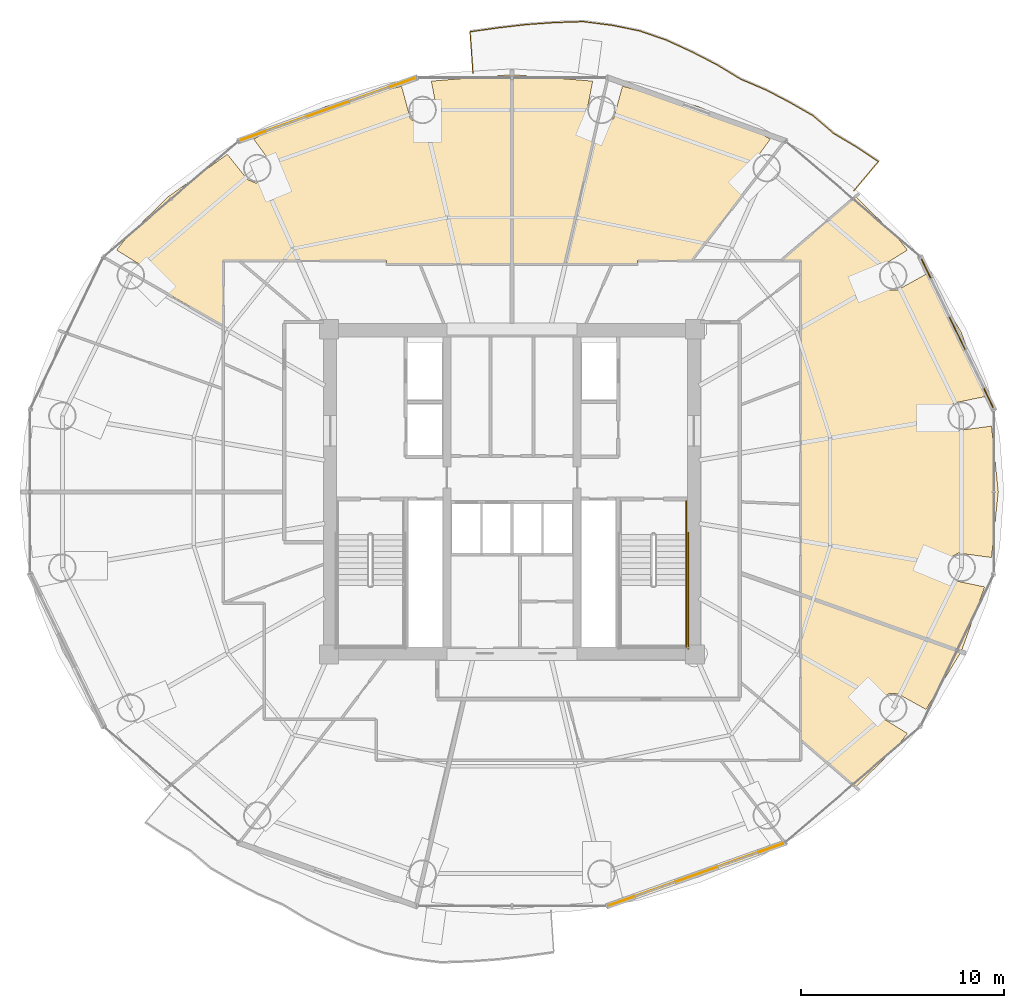
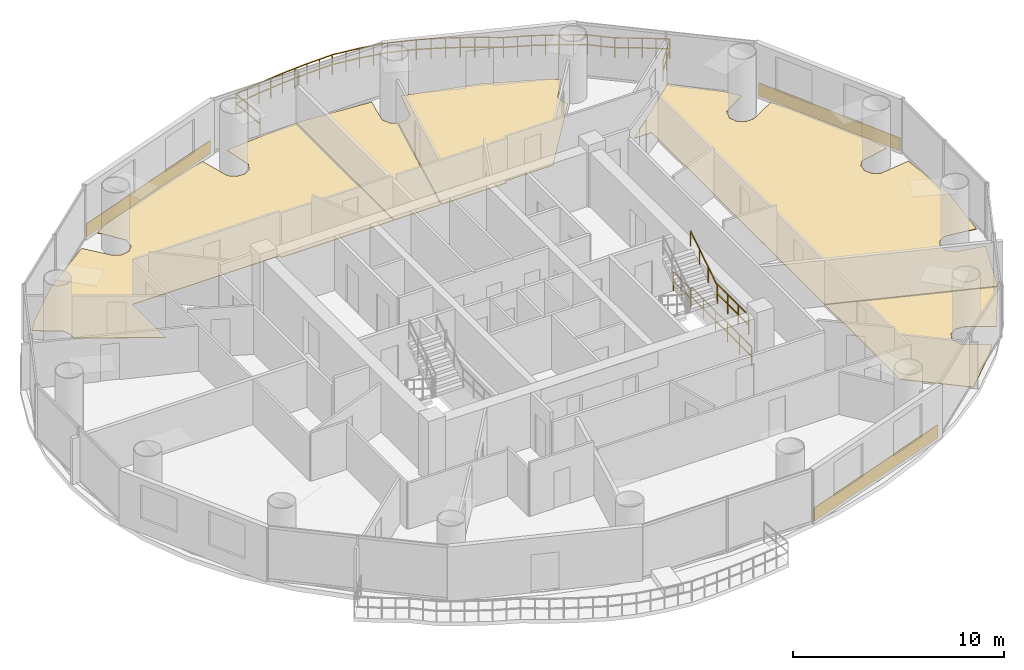
# One storey, part 26 of 26: 8 coverings, 5 railings.
"""IFC4 building model written with IfcOpenShell, lengths in metres."""

from ifc_helpers import new_model, si_unit, direction, frame, origin, origin_2d, place, context, subcontext, project, spatial, polyline, rectangle, outline, extrude, source, transform, mapped, material, layer, layer_set, type_object, element, save


model = new_model("IFC4")

# Units and contexts
model_context = context("Model", 3, precision=1e-05, world=origin(), true_north=direction((-0.2419218956, 0.970295726276)))
body_context = subcontext(model_context, "Body", "Model", "MODEL_VIEW")
ifc_project = project(units=[si_unit("LENGTHUNIT", "METRE"), si_unit("AREAUNIT", "SQUARE_METRE"), si_unit("VOLUMEUNIT", "CUBIC_METRE"), si_unit("PLANEANGLEUNIT", "RADIAN"), si_unit("MASSUNIT", "GRAM", prefix="KILO")], contexts=[model_context])

# Site, building, storey
site_placement = place(None, origin())
site = spatial("IfcSite", under=ifc_project, at=site_placement, CompositionType="ELEMENT")
building_placement = place(site_placement, origin())
building = spatial("IfcBuilding", under=site, at=building_placement, Name="Cobrevalo Terracotta Tower", CompositionType="ELEMENT")
storey_placement = place(building_placement, frame((0.0, 0.0, 182.199951171875)))
storey = spatial("IfcBuildingStorey", under=building, at=storey_placement, Name="L48", CompositionType="ELEMENT", Elevation=182.199951171875)

# Railing
ifc_material_1 = material(Name="Laminated structural glass and stainless steel", Category="steel")
railing_type_1 = type_object("IfcRailingType", Name="Balcony lobe structural glass & terracotta-cap balustrade 1180 mm", PredefinedType="BALUSTRADE", material=ifc_material_1)
railing_1_placement = place(storey_placement, frame((54.825439453125, 41.61328125, 0.0)))
element("IfcRailing", 1, at=railing_1_placement, inside=storey, type_object=railing_type_1, Name="L48 spiralling balcony lobe balustrade 1", PredefinedType="BALUSTRADE", context=body_context, shape_type="SweptSolid", body=[
    extrude(rectangle(XDim=0.048095703125, YDim=0.048095703125, at=origin_2d()), frame((0.0, 0.0, 1.15576171875), z_axis=(0.643035654608, 0.765836240265, 0.0), x_axis=(-0.765836240265, 0.643035654608, 0.0)), (0.0, 0.0, 1.0), 1.866943359375),
    extrude(rectangle(XDim=0.048095703125, YDim=0.048095703125, at=origin_2d()), frame((0.0, 0.0, 0.58984375), z_axis=(0.643035654608, 0.765836240265, 0.0), x_axis=(-0.765836240265, 0.643035654608, 0.0)), (0.0, 0.0, 1.0), 1.866943359375),
    extrude(rectangle(XDim=0.048095703125, YDim=0.048095703125, at=origin_2d()), frame((1.200439453125, 1.4296875, 1.15576171875), z_axis=(-0.833510454138, 0.552503685819, 0.0), x_axis=(-0.552503685819, -0.833510454138, 0.0)), (0.0, 0.0, 1.0), 1.309326171875),
    extrude(rectangle(XDim=0.048095703125, YDim=0.048095703125, at=origin_2d()), frame((1.200439453125, 1.4296875, 0.58984375), z_axis=(-0.833510454138, 0.552503685819, 0.0), x_axis=(-0.552503685819, -0.833510454138, 0.0)), (0.0, 0.0, 1.0), 1.309326171875),
    extrude(rectangle(XDim=0.048095703125, YDim=0.048095703125, at=origin_2d()), frame((0.109130859375, 2.153076171875, 1.15576171875), z_axis=(-0.859143658527, 0.511734476083, 0.0), x_axis=(-0.511734476083, -0.859143658527, 0.0)), (0.0, 0.0, 1.0), 1.301513671875),
    extrude(rectangle(XDim=0.048095703125, YDim=0.048095703125, at=origin_2d()), frame((0.109130859375, 2.153076171875, 0.58984375), z_axis=(-0.859143658527, 0.511734476083, 0.0), x_axis=(-0.511734476083, -0.859143658527, 0.0)), (0.0, 0.0, 1.0), 1.301513671875),
    extrude(rectangle(XDim=0.048095703125, YDim=0.048095703125, at=origin_2d()), frame((-1.009033203125, 2.819091796875, 1.15576171875), z_axis=(-0.75777385724, 0.652517265123, 0.0), x_axis=(-0.652517265123, -0.75777385724, 0.0)), (0.0, 0.0, 1.0), 1.32666015625),
    extrude(rectangle(XDim=0.048095703125, YDim=0.048095703125, at=origin_2d()), frame((-1.009033203125, 2.819091796875, 0.58984375), z_axis=(-0.75777385724, 0.652517265123, 0.0), x_axis=(-0.652517265123, -0.75777385724, 0.0)), (0.0, 0.0, 1.0), 1.32666015625),
    extrude(rectangle(XDim=0.048095703125, YDim=0.048095703125, at=origin_2d()), frame((-2.014404296875, 3.684814453125, 1.15576171875), z_axis=(-0.867459366017, 0.497508038436, 0.0), x_axis=(-0.497508038436, -0.867459366017, 0.0)), (0.0, 0.0, 1.0), 1.324462890625),
    extrude(rectangle(XDim=0.048095703125, YDim=0.048095703125, at=origin_2d()), frame((-2.014404296875, 3.684814453125, 0.58984375), z_axis=(-0.867459366017, 0.497508038436, 0.0), x_axis=(-0.497508038436, -0.867459366017, 0.0)), (0.0, 0.0, 1.0), 1.324462890625),
    extrude(rectangle(XDim=0.048095703125, YDim=0.048095703125, at=origin_2d()), frame((-3.163330078125, 4.34375, 1.15576171875), z_axis=(-0.886378139392, 0.46296197901, 0.0), x_axis=(-0.46296197901, -0.886378139392, 0.0)), (0.0, 0.0, 1.0), 1.327392578125),
    extrude(rectangle(XDim=0.048095703125, YDim=0.048095703125, at=origin_2d()), frame((-3.163330078125, 4.34375, 0.58984375), z_axis=(-0.886378139392, 0.46296197901, 0.0), x_axis=(-0.46296197901, -0.886378139392, 0.0)), (0.0, 0.0, 1.0), 1.327392578125),
    extrude(rectangle(XDim=0.048095703125, YDim=0.048095703125, at=origin_2d()), frame((-4.33984375, 4.958251953125, 1.15576171875), z_axis=(-0.920373490058, 0.391040456729, 0.0), x_axis=(-0.391040456729, -0.920373490058, 0.0)), (0.0, 0.0, 1.0), 1.341796875),
    extrude(rectangle(XDim=0.048095703125, YDim=0.048095703125, at=origin_2d()), frame((-4.33984375, 4.958251953125, 0.58984375), z_axis=(-0.920373490058, 0.391040456729, 0.0), x_axis=(-0.391040456729, -0.920373490058, 0.0)), (0.0, 0.0, 1.0), 1.341796875),
    extrude(rectangle(XDim=0.048095703125, YDim=0.048095703125, at=origin_2d()), frame((-5.57470703125, 5.48291015625, 1.15576171875), z_axis=(-0.854798848027, 0.518959467986, 0.0), x_axis=(-0.518959467986, -0.854798848027, 0.0)), (0.0, 0.0, 1.0), 1.365234375),
    extrude(rectangle(XDim=0.048095703125, YDim=0.048095703125, at=origin_2d()), frame((-5.57470703125, 5.48291015625, 0.58984375), z_axis=(-0.854798848027, 0.518959467986, 0.0), x_axis=(-0.518959467986, -0.854798848027, 0.0)), (0.0, 0.0, 1.0), 1.365234375),
    extrude(rectangle(XDim=0.048095703125, YDim=0.048095703125, at=origin_2d()), frame((-6.74169921875, 6.19140625, 1.15576171875), z_axis=(-0.889031185368, 0.457846646208, 0.0), x_axis=(-0.457846646208, -0.889031185368, 0.0)), (0.0, 0.0, 1.0), 1.382568359375),
    extrude(rectangle(XDim=0.048095703125, YDim=0.048095703125, at=origin_2d()), frame((-6.74169921875, 6.19140625, 0.58984375), z_axis=(-0.889031185368, 0.457846646208, 0.0), x_axis=(-0.457846646208, -0.889031185368, 0.0)), (0.0, 0.0, 1.0), 1.382568359375),
    extrude(rectangle(XDim=0.048095703125, YDim=0.048095703125, at=origin_2d()), frame((-7.970947265625, 6.824462890625, 1.15576171875), z_axis=(-0.908664294435, 0.417527484147, 0.0), x_axis=(-0.417527484147, -0.908664294435, 0.0)), (0.0, 0.0, 1.0), 1.396240234375),
    extrude(rectangle(XDim=0.048095703125, YDim=0.048095703125, at=origin_2d()), frame((-7.970947265625, 6.824462890625, 0.58984375), z_axis=(-0.908664294435, 0.417527484147, 0.0), x_axis=(-0.417527484147, -0.908664294435, 0.0)), (0.0, 0.0, 1.0), 1.396240234375),
    extrude(rectangle(XDim=0.048095703125, YDim=0.048095703125, at=origin_2d()), frame((-9.23974609375, 7.407470703125, 1.15576171875), z_axis=(-0.945543759885, 0.325495004789, 0.0), x_axis=(-0.325495004789, -0.945543759885, 0.0)), (0.0, 0.0, 1.0), 1.396728515625),
    extrude(rectangle(XDim=0.048095703125, YDim=0.048095703125, at=origin_2d()), frame((-9.23974609375, 7.407470703125, 0.58984375), z_axis=(-0.945543759885, 0.325495004789, 0.0), x_axis=(-0.325495004789, -0.945543759885, 0.0)), (0.0, 0.0, 1.0), 1.396728515625),
    extrude(rectangle(XDim=0.048095703125, YDim=0.048095703125, at=origin_2d()), frame((-10.560302734375, 7.862060546875, 1.15576171875), z_axis=(-0.980399358204, 0.197020553328, 0.0), x_axis=(-0.197020553328, -0.980399358204, 0.0)), (0.0, 0.0, 1.0), 1.401611328125),
    extrude(rectangle(XDim=0.048095703125, YDim=0.048095703125, at=origin_2d()), frame((-10.560302734375, 7.862060546875, 0.58984375), z_axis=(-0.980399358204, 0.197020553328, 0.0), x_axis=(-0.197020553328, -0.980399358204, 0.0)), (0.0, 0.0, 1.0), 1.401611328125),
    extrude(rectangle(XDim=0.048095703125, YDim=0.048095703125, at=origin_2d()), frame((-11.934326171875, 8.13818359375, 1.15576171875), z_axis=(-0.992126874998, 0.125236831267, 0.0), x_axis=(-0.125236831267, -0.992126874998, 0.0)), (0.0, 0.0, 1.0), 1.399658203125),
    extrude(rectangle(XDim=0.048095703125, YDim=0.048095703125, at=origin_2d()), frame((-11.934326171875, 8.13818359375, 0.58984375), z_axis=(-0.992126874998, 0.125236831267, 0.0), x_axis=(-0.125236831267, -0.992126874998, 0.0)), (0.0, 0.0, 1.0), 1.399658203125),
    extrude(rectangle(XDim=0.048095703125, YDim=0.048095703125, at=origin_2d()), frame((-13.322998046875, 8.3134765625, 1.15576171875), z_axis=(-0.999481911542, -0.03218553247, 0.0), x_axis=(0.03218553247, -0.999481911542, 0.0)), (0.0, 0.0, 1.0), 1.410888671875),
    extrude(rectangle(XDim=0.048095703125, YDim=0.048095703125, at=origin_2d()), frame((-13.322998046875, 8.3134765625, 0.58984375), z_axis=(-0.999481911542, -0.03218553247, 0.0), x_axis=(0.03218553247, -0.999481911542, 0.0)), (0.0, 0.0, 1.0), 1.410888671875),
    extrude(rectangle(XDim=0.048095703125, YDim=0.048095703125, at=origin_2d()), frame((-14.733154296875, 8.26806640625, 1.15576171875), z_axis=(-0.997489518027, -0.070814274174, 0.0), x_axis=(0.070814274174, -0.997489518027, 0.0)), (0.0, 0.0, 1.0), 1.403076171875),
    extrude(rectangle(XDim=0.048095703125, YDim=0.048095703125, at=origin_2d()), frame((-14.733154296875, 8.26806640625, 0.58984375), z_axis=(-0.997489518027, -0.070814274174, 0.0), x_axis=(0.070814274174, -0.997489518027, 0.0)), (0.0, 0.0, 1.0), 1.403076171875),
    extrude(rectangle(XDim=0.048095703125, YDim=0.048095703125, at=origin_2d()), frame((-16.1328125, 8.168701171875, 1.15576171875), z_axis=(-0.993268516763, -0.115834595903, 0.0), x_axis=(0.115834595903, -0.993268516763, 0.0)), (0.0, 0.0, 1.0), 1.39306640625),
    extrude(rectangle(XDim=0.048095703125, YDim=0.048095703125, at=origin_2d()), frame((-16.1328125, 8.168701171875, 0.58984375), z_axis=(-0.993268516763, -0.115834595903, 0.0), x_axis=(0.115834595903, -0.993268516763, 0.0)), (0.0, 0.0, 1.0), 1.39306640625),
    extrude(rectangle(XDim=0.048095703125, YDim=0.048095703125, at=origin_2d()), frame((-17.5166015625, 8.00732421875, 1.15576171875), z_axis=(-0.990215534843, -0.13954638854, 0.0), x_axis=(0.13954638854, -0.990215534843, 0.0)), (0.0, 0.0, 1.0), 1.3857421875),
    extrude(rectangle(XDim=0.048095703125, YDim=0.048095703125, at=origin_2d()), frame((-17.5166015625, 8.00732421875, 0.58984375), z_axis=(-0.990215534843, -0.13954638854, 0.0), x_axis=(0.13954638854, -0.990215534843, 0.0)), (0.0, 0.0, 1.0), 1.3857421875),
    extrude(rectangle(XDim=0.048095703125, YDim=0.048095703125, at=origin_2d()), frame((-18.888671875, 7.81396484375, 1.15576171875), z_axis=(0.068897001928, -0.997623778348, 0.0), x_axis=(0.997623778348, 0.068897001928, 0.0)), (0.0, 0.0, 1.0), 2.030517578125),
    extrude(rectangle(XDim=0.048095703125, YDim=0.048095703125, at=origin_2d()), frame((-18.888671875, 7.81396484375, 0.58984375), z_axis=(0.068897001928, -0.997623778348, 0.0), x_axis=(0.997623778348, 0.068897001928, 0.0)), (0.0, 0.0, 1.0), 2.030517578125),
    extrude(rectangle(XDim=0.0419921875, YDim=0.0419921875, at=origin_2d()), origin(), (0.0, 0.0, 1.0), 1.1318359375),
    extrude(rectangle(XDim=0.0419921875, YDim=0.0419921875, at=origin_2d()), frame((0.60009765625, 0.71484375, 0.0)), (0.0, 0.0, 1.0), 1.1318359375),
    extrude(rectangle(XDim=0.0419921875, YDim=0.0419921875, at=origin_2d()), frame((1.200439453125, 1.4296875, 0.0)), (0.0, 0.0, 1.0), 1.1318359375),
    extrude(rectangle(XDim=0.0419921875, YDim=0.0419921875, at=origin_2d()), frame((0.65478515625, 1.79150390625, 0.0)), (0.0, 0.0, 1.0), 1.1318359375),
    extrude(rectangle(XDim=0.0419921875, YDim=0.0419921875, at=origin_2d()), frame((0.109130859375, 2.153076171875, 0.0)), (0.0, 0.0, 1.0), 1.1318359375),
    extrude(rectangle(XDim=0.0419921875, YDim=0.0419921875, at=origin_2d()), frame((-0.449951171875, 2.486083984375, 0.0)), (0.0, 0.0, 1.0), 1.1318359375),
    extrude(rectangle(XDim=0.0419921875, YDim=0.0419921875, at=origin_2d()), frame((-1.009033203125, 2.819091796875, 0.0)), (0.0, 0.0, 1.0), 1.1318359375),
    extrude(rectangle(XDim=0.0419921875, YDim=0.0419921875, at=origin_2d()), frame((-1.51171875, 3.251953125, 0.0)), (0.0, 0.0, 1.0), 1.1318359375),
    extrude(rectangle(XDim=0.0419921875, YDim=0.0419921875, at=origin_2d()), frame((-2.014404296875, 3.684814453125, 0.0)), (0.0, 0.0, 1.0), 1.1318359375),
    extrude(rectangle(XDim=0.0419921875, YDim=0.0419921875, at=origin_2d()), frame((-2.5888671875, 4.01416015625, 0.0)), (0.0, 0.0, 1.0), 1.1318359375),
    extrude(rectangle(XDim=0.0419921875, YDim=0.0419921875, at=origin_2d()), frame((-3.163330078125, 4.34375, 0.0)), (0.0, 0.0, 1.0), 1.1318359375),
    extrude(rectangle(XDim=0.0419921875, YDim=0.0419921875, at=origin_2d()), frame((-3.75146484375, 4.65087890625, 0.0)), (0.0, 0.0, 1.0), 1.1318359375),
    extrude(rectangle(XDim=0.0419921875, YDim=0.0419921875, at=origin_2d()), frame((-4.33984375, 4.958251953125, 0.0)), (0.0, 0.0, 1.0), 1.1318359375),
    extrude(rectangle(XDim=0.0419921875, YDim=0.0419921875, at=origin_2d()), frame((-4.957275390625, 5.220703125, 0.0)), (0.0, 0.0, 1.0), 1.1318359375),
    extrude(rectangle(XDim=0.0419921875, YDim=0.0419921875, at=origin_2d()), frame((-5.57470703125, 5.48291015625, 0.0)), (0.0, 0.0, 1.0), 1.1318359375),
    extrude(rectangle(XDim=0.0419921875, YDim=0.0419921875, at=origin_2d()), frame((-6.158203125, 5.837158203125, 0.0)), (0.0, 0.0, 1.0), 1.1318359375),
    extrude(rectangle(XDim=0.0419921875, YDim=0.0419921875, at=origin_2d()), frame((-6.74169921875, 6.19140625, 0.0)), (0.0, 0.0, 1.0), 1.1318359375),
    extrude(rectangle(XDim=0.0419921875, YDim=0.0419921875, at=origin_2d()), frame((-7.3564453125, 6.5078125, 0.0)), (0.0, 0.0, 1.0), 1.1318359375),
    extrude(rectangle(XDim=0.0419921875, YDim=0.0419921875, at=origin_2d()), frame((-7.970947265625, 6.824462890625, 0.0)), (0.0, 0.0, 1.0), 1.1318359375),
    extrude(rectangle(XDim=0.0419921875, YDim=0.0419921875, at=origin_2d()), frame((-8.60546875, 7.115966796875, 0.0)), (0.0, 0.0, 1.0), 1.1318359375),
    extrude(rectangle(XDim=0.0419921875, YDim=0.0419921875, at=origin_2d()), frame((-9.23974609375, 7.407470703125, 0.0)), (0.0, 0.0, 1.0), 1.1318359375),
    extrude(rectangle(XDim=0.0419921875, YDim=0.0419921875, at=origin_2d()), frame((-9.89990234375, 7.634765625, 0.0)), (0.0, 0.0, 1.0), 1.1318359375),
    extrude(rectangle(XDim=0.0419921875, YDim=0.0419921875, at=origin_2d()), frame((-10.560302734375, 7.862060546875, 0.0)), (0.0, 0.0, 1.0), 1.1318359375),
    extrude(rectangle(XDim=0.0419921875, YDim=0.0419921875, at=origin_2d()), frame((-11.247314453125, 8.0, 0.0)), (0.0, 0.0, 1.0), 1.1318359375),
    extrude(rectangle(XDim=0.0419921875, YDim=0.0419921875, at=origin_2d()), frame((-11.934326171875, 8.13818359375, 0.0)), (0.0, 0.0, 1.0), 1.1318359375),
    extrude(rectangle(XDim=0.0419921875, YDim=0.0419921875, at=origin_2d()), frame((-12.628662109375, 8.225830078125, 0.0)), (0.0, 0.0, 1.0), 1.1318359375),
    extrude(rectangle(XDim=0.0419921875, YDim=0.0419921875, at=origin_2d()), frame((-13.322998046875, 8.3134765625, 0.0)), (0.0, 0.0, 1.0), 1.1318359375),
    extrude(rectangle(XDim=0.0419921875, YDim=0.0419921875, at=origin_2d()), frame((-14.028076171875, 8.290771484375, 0.0)), (0.0, 0.0, 1.0), 1.1318359375),
    extrude(rectangle(XDim=0.0419921875, YDim=0.0419921875, at=origin_2d()), frame((-14.733154296875, 8.26806640625, 0.0)), (0.0, 0.0, 1.0), 1.1318359375),
    extrude(rectangle(XDim=0.0419921875, YDim=0.0419921875, at=origin_2d()), frame((-15.43310546875, 8.21826171875, 0.0)), (0.0, 0.0, 1.0), 1.1318359375),
    extrude(rectangle(XDim=0.0419921875, YDim=0.0419921875, at=origin_2d()), frame((-16.1328125, 8.168701171875, 0.0)), (0.0, 0.0, 1.0), 1.1318359375),
    extrude(rectangle(XDim=0.0419921875, YDim=0.0419921875, at=origin_2d()), frame((-16.82470703125, 8.087890625, 0.0)), (0.0, 0.0, 1.0), 1.1318359375),
    extrude(rectangle(XDim=0.0419921875, YDim=0.0419921875, at=origin_2d()), frame((-17.5166015625, 8.00732421875, 0.0)), (0.0, 0.0, 1.0), 1.1318359375),
    extrude(rectangle(XDim=0.0419921875, YDim=0.0419921875, at=origin_2d()), frame((-18.20263671875, 7.91064453125, 0.0)), (0.0, 0.0, 1.0), 1.1318359375),
    extrude(rectangle(XDim=0.0419921875, YDim=0.0419921875, at=origin_2d()), frame((-18.888671875, 7.81396484375, 0.0)), (0.0, 0.0, 1.0), 1.1318359375),
    extrude(rectangle(XDim=0.0419921875, YDim=0.0419921875, at=origin_2d()), frame((-18.81884765625, 6.80126953125, 0.0)), (0.0, 0.0, 1.0), 1.1318359375),
    extrude(rectangle(XDim=0.0419921875, YDim=0.0419921875, at=origin_2d()), frame((-18.748779296875, 5.788330078125, 0.0)), (0.0, 0.0, 1.0), 1.1318359375),
])

# Coverings
ifc_material_2 = material(Name="Engineered Brazilian hardwood flooring", Category="wood")
ifc_layer_1 = layer(ifc_material_2, 0.028076171875)
ifc_layer_set_1 = layer_set([ifc_layer_1], Name="Engineered Brazilian hardwood flooring")
covering_type_1 = type_object("IfcCoveringType", Name="Engineered Hardwood Suite Flooring 28", PredefinedType="FLOORING", material=ifc_layer_set_1)
covering_1_placement = place(storey_placement, origin())
element("IfcCovering", 2, at=covering_1_placement, inside=storey, type_object=covering_type_1, Name="Flat L48A Penthouse Living and Dining Room floor finish", PredefinedType="FLOORING", context=body_context, shape_type="SweptSolid", body=[
    extrude(outline(polyline([(51.26513671875, 38.175048828125), (54.9111328125, 41.308837890625), (56.97802734375, 39.29052734375), (57.448486328125, 38.6865234375), (56.165771484375, 37.89404296875), (56.01513671875, 37.34814453125), (56.189697265625, 36.955322265625), (56.552734375, 36.725830078125), (56.982177734375, 36.736572265625), (58.367431640625, 37.50634765625), (60.099609375, 34.651611328125), (61.251708984375, 31.478271484375), (59.7236328125, 31.1630859375), (59.44140625, 30.8388671875), (59.386962890625, 30.41259765625), (59.578369140625, 30.028076171875), (59.951416015625, 29.814697265625), (61.58642578125, 30.03369140625), (61.919921875, 26.800048828125), (61.58642578125, 23.566162109375), (59.951416015625, 23.785400390625), (59.578369140625, 23.572021484375), (59.386962890625, 23.187255859375), (59.44140625, 22.760986328125), (59.7236328125, 22.43701171875), (61.251708984375, 22.121826171875), (60.101318359375, 18.95263671875), (52.22509765625, 21.7568359375), (52.22509765625, 38.175048828125), (51.26513671875, 38.175048828125)])), origin(), (0.0, 0.0, 1.0), 0.030029296875),
])
covering_2_placement = place(storey_placement, origin())
element("IfcCovering", 3, at=covering_2_placement, inside=storey, type_object=covering_type_1, Name="Flat L48A Penthouse Family Lounge floor finish", PredefinedType="FLOORING", context=body_context, shape_type="SweptSolid", body=[
    extrude(outline(polyline([(44.175048828125, 38.014892578125), (40.615966796875, 38.014892578125), (42.203369140625, 44.873779296875), (42.6591796875, 44.88916015625), (43.00048828125, 45.150390625), (43.432861328125, 46.75), (47.15478515625, 45.757568359375), (49.961181640625, 44.5703125), (50.704833984375, 44.143798828125), (49.815673828125, 42.9228515625), (49.824462890625, 42.4931640625), (49.97509765625, 42.236572265625), (46.817626953125, 38.175048828125), (44.175048828125, 38.175048828125), (44.175048828125, 38.014892578125)])), origin(), (0.0, 0.0, 1.0), 0.030029296875),
])
covering_3_placement = place(storey_placement, origin())
element("IfcCovering", 4, at=covering_3_placement, inside=storey, type_object=covering_type_1, Name="Flat L48A Penthouse Family Lounge floor finish", PredefinedType="FLOORING", context=body_context, shape_type="SweptSolid", body=[
    extrude(outline(polyline([(38.02001953125, 47.31884765625), (41.97119140625, 46.99951171875), (41.6689453125, 45.462158203125), (41.858642578125, 45.07666015625), (42.16455078125, 44.8837890625), (40.574951171875, 38.014892578125), (38.02001953125, 38.014892578125), (38.02001953125, 47.31884765625)])), origin(), (0.0, 0.0, 1.0), 0.030029296875),
])
covering_4_placement = place(storey_placement, origin())
element("IfcCovering", 5, at=covering_4_placement, inside=storey, type_object=covering_type_1, Name="Flat L48B Penthouse Living and Dining Room floor finish", PredefinedType="FLOORING", context=body_context, shape_type="SweptSolid", body=[
    extrude(outline(polyline([(21.0849609375, 41.308837890625), (23.99755859375, 43.39990234375), (24.99072265625, 42.160400390625), (25.38427734375, 41.98779296875), (25.807373046875, 42.06298828125), (26.1171875, 42.3603515625), (26.184326171875, 42.9228515625), (25.295166015625, 44.143798828125), (26.038818359375, 44.5703125), (28.84521484375, 45.757568359375), (32.567138671875, 46.75), (32.99951171875, 45.150390625), (33.3408203125, 44.88916015625), (33.76953125, 44.861328125), (34.141357421875, 45.07666015625), (34.3310546875, 45.462158203125), (34.02880859375, 46.99951171875), (37.97998046875, 47.31884765625), (37.97998046875, 38.014892578125), (31.824951171875, 38.014892578125), (31.824951171875, 38.175048828125), (23.77490234375, 38.175048828125), (23.77490234375, 34.992431640625), (19.94384765625, 37.192626953125), (19.988525390625, 37.4931640625), (19.834228515625, 37.89404296875), (18.551513671875, 38.6865234375), (19.02197265625, 39.29052734375), (21.0849609375, 41.308837890625)])), origin(), (0.0, 0.0, 1.0), 0.030029296875),
])
covering_5_placement = place(storey_placement, origin())
element("IfcCovering", 6, at=covering_5_placement, inside=storey, type_object=covering_type_1, Name="Flat L48D Penthouse Family Lounge floor finish", PredefinedType="FLOORING", context=body_context, shape_type="SweptSolid", body=[
    extrude(outline(polyline([(54.9111328125, 12.291015625), (52.22509765625, 14.599853515625), (52.22509765625, 21.71435546875), (60.081787109375, 18.917236328125), (58.367431640625, 16.09375), (56.982177734375, 16.863525390625), (56.552734375, 16.874267578125), (56.189697265625, 16.64453125), (56.01513671875, 16.251953125), (56.165771484375, 15.705810546875), (57.448486328125, 14.91357421875), (56.97802734375, 14.309326171875), (54.9111328125, 12.291015625)])), origin(), (0.0, 0.0, 1.0), 0.030029296875),
])

# Railings
ifc_material_3 = material(Name="Brushed stainless steel", Category="steel")
railing_type_2 = type_object("IfcRailingType", Name="Stainless Steel Stair Handrail 900", PredefinedType="HANDRAIL", material=ifc_material_3)
railing_2_placement = place(storey_placement, frame((46.574951171875, 22.179931640625, 1.97998046875)))
element("IfcRailing", 7, at=railing_2_placement, inside=storey, type_object=railing_type_2, Name="L48 ST-2 stair handrail 2", PredefinedType="HANDRAIL", context=body_context, shape_type="SweptSolid", body=[
    extrude(rectangle(XDim=0.048095703125, YDim=0.048095703125, at=origin_2d()), frame((0.0, 0.0, 0.8759765625), z_axis=(0.0, 0.841162588446, 0.540782303519), x_axis=(-1.0, 0.0, 0.0)), (0.0, 0.0, 1.0), 2.995849609375),
    extrude(rectangle(XDim=0.0419921875, YDim=0.0419921875, at=origin_2d()), origin(), (0.0, 0.0, 1.0), 0.851806640625),
    extrude(rectangle(XDim=0.0419921875, YDim=0.0419921875, at=origin_2d()), frame((0.0, 0.840087890625, 0.5400390625)), (0.0, 0.0, 1.0), 0.851806640625),
    extrude(rectangle(XDim=0.0419921875, YDim=0.0419921875, at=origin_2d()), frame((0.0, 1.679931640625, 1.080078125)), (0.0, 0.0, 1.0), 0.851806640625),
    extrude(rectangle(XDim=0.0419921875, YDim=0.0419921875, at=origin_2d()), frame((0.0, 2.52001953125, 1.6201171875)), (0.0, 0.0, 1.0), 0.851806640625),
])
ifc_material_4 = material(Name="Painted galvanized steel", Category="steel")
railing_type_3 = type_object("IfcRailingType", Name="Stair Well Guard Balustrade 1150", PredefinedType="GUARDRAIL", material=ifc_material_4)
railing_3_placement = place(storey_placement, frame((46.574951171875, 22.179931640625, 1.800048828125)))
element("IfcRailing", 8, at=railing_3_placement, inside=storey, type_object=railing_type_3, Name="L48 ST-2 stair guard 4", PredefinedType="GUARDRAIL", context=body_context, shape_type="SweptSolid", body=[
    extrude(rectangle(XDim=0.048095703125, YDim=0.048095703125, at=origin_2d()), frame((0.0, 0.0, 1.1259765625), z_axis=(0.0, -1.0, 0.0), x_axis=(1.0, 0.0, 0.0)), (0.0, 0.0, 1.0), 3.0048828125),
    extrude(rectangle(XDim=0.048095703125, YDim=0.048095703125, at=origin_2d()), frame((0.0, 0.0, 0.574951171875), z_axis=(0.0, -1.0, 0.0), x_axis=(1.0, 0.0, 0.0)), (0.0, 0.0, 1.0), 3.0048828125),
    extrude(rectangle(XDim=0.0419921875, YDim=0.0419921875, at=origin_2d()), origin(), (0.0, 0.0, 1.0), 1.101806640625),
    extrude(rectangle(XDim=0.0419921875, YDim=0.0419921875, at=origin_2d()), frame((0.0, -1.001708984375, 0.0)), (0.0, 0.0, 1.0), 1.101806640625),
    extrude(rectangle(XDim=0.0419921875, YDim=0.0419921875, at=origin_2d()), frame((0.0, -2.003173828125, 0.0)), (0.0, 0.0, 1.0), 1.101806640625),
    extrude(rectangle(XDim=0.0419921875, YDim=0.0419921875, at=origin_2d()), frame((0.0, -3.0048828125, 0.0)), (0.0, 0.0, 1.0), 1.101806640625),
])
railing_4_placement = place(storey_placement, frame((46.574951171875, 26.35009765625, 0.0)))
element("IfcRailing", 9, at=railing_4_placement, inside=storey, type_object=railing_type_3, Name="L48 ST-2 stair guard 9", PredefinedType="GUARDRAIL", context=body_context, shape_type="SweptSolid", body=[
    extrude(rectangle(XDim=0.048095703125, YDim=0.048095703125, at=origin_2d()), frame((0.0, 0.0, 1.1259765625), z_axis=(0.0, -1.0, 0.0), x_axis=(1.0, 0.0, 0.0)), (0.0, 0.0, 1.0), 1.650146484375),
    extrude(rectangle(XDim=0.048095703125, YDim=0.048095703125, at=origin_2d()), frame((0.0, 0.0, 0.574951171875), z_axis=(0.0, -1.0, 0.0), x_axis=(1.0, 0.0, 0.0)), (0.0, 0.0, 1.0), 1.650146484375),
    extrude(rectangle(XDim=0.0419921875, YDim=0.0419921875, at=origin_2d()), origin(), (0.0, 0.0, 1.0), 1.101806640625),
    extrude(rectangle(XDim=0.0419921875, YDim=0.0419921875, at=origin_2d()), frame((0.0, -0.8251953125, 0.0)), (0.0, 0.0, 1.0), 1.101806640625),
    extrude(rectangle(XDim=0.0419921875, YDim=0.0419921875, at=origin_2d()), frame((0.0, -1.650146484375, 0.0)), (0.0, 0.0, 1.0), 1.101806640625),
])
railing_5_placement = place(storey_placement, frame((46.675048828125, 24.800048828125, 0.0)))
element("IfcRailing", 10, at=railing_5_placement, inside=storey, type_object=railing_type_3, Name="L48 ST-2 stair guard 11", PredefinedType="GUARDRAIL", context=body_context, shape_type="SweptSolid", body=[
    extrude(rectangle(XDim=0.048095703125, YDim=0.048095703125, at=origin_2d()), frame((0.0, 0.0, 1.1259765625), z_axis=(0.0, -1.0, 0.0), x_axis=(1.0, 0.0, 0.0)), (0.0, 0.0, 1.0), 5.72509765625),
    extrude(rectangle(XDim=0.048095703125, YDim=0.048095703125, at=origin_2d()), frame((0.0, 0.0, 0.574951171875), z_axis=(0.0, -1.0, 0.0), x_axis=(1.0, 0.0, 0.0)), (0.0, 0.0, 1.0), 5.72509765625),
    extrude(rectangle(XDim=0.0419921875, YDim=0.0419921875, at=origin_2d()), origin(), (0.0, 0.0, 1.0), 1.101806640625),
    extrude(rectangle(XDim=0.0419921875, YDim=0.0419921875, at=origin_2d()), frame((0.0, -1.14501953125, 0.0)), (0.0, 0.0, 1.0), 1.101806640625),
    extrude(rectangle(XDim=0.0419921875, YDim=0.0419921875, at=origin_2d()), frame((0.0, -2.2900390625, 0.0)), (0.0, 0.0, 1.0), 1.101806640625),
    extrude(rectangle(XDim=0.0419921875, YDim=0.0419921875, at=origin_2d()), frame((0.0, -3.43505859375, 0.0)), (0.0, 0.0, 1.0), 1.101806640625),
    extrude(rectangle(XDim=0.0419921875, YDim=0.0419921875, at=origin_2d()), frame((0.0, -4.580078125, 0.0)), (0.0, 0.0, 1.0), 1.101806640625),
    extrude(rectangle(XDim=0.0419921875, YDim=0.0419921875, at=origin_2d()), frame((0.0, -5.72509765625, 0.0)), (0.0, 0.0, 1.0), 1.101806640625),
])

# Coverings
ifc_material_5 = material(Name="Glazed terracotta facade cladding tile", Category="masonry")
ifc_layer_2 = layer(ifc_material_5, 0.044921875)
ifc_layer_set_2 = layer_set([ifc_layer_2], Name="Glazed terracotta facade cladding tile")
covering_type_2 = type_object("IfcCoveringType", Name="Architectural terracotta rainscreen spandrel cladding 45 mm", PredefinedType="CLADDING", material=ifc_layer_set_2)
shared_shape_1 = source(origin(), body_context, "Body", "SweptSolid", [
    extrude(rectangle(XDim=8.111572265625, YDim=0.044921875, at=origin_2d()), origin(), (0.0, 0.0, 1.0), 0.760009765625),
])
covering_6_placement = place(storey_placement, frame((59.901123046875, 34.595703125, 0.0400390625), z_axis=(0.0, 0.0, 1.0), x_axis=(-0.434209440271, 0.900811945957, 0.0)))
element("IfcCovering", 11, at=covering_6_placement, inside=storey, type_object=covering_type_2, Name="L48 terracotta spandrel cladding S01", PredefinedType="CLADDING", context=body_context, shape_type="MappedRepresentation", body=[
    mapped(shared_shape_1, transform((0.0, 0.0, 0.0), scale=1.0)),
])
shared_shape_2 = source(origin(), body_context, "Body", "SweptSolid", [
    extrude(rectangle(XDim=9.04833984375, YDim=0.044921875, at=origin_2d()), origin(), (0.0, 0.0, 1.0), 0.760009765625),
])
for number, where, z_axis, x_axis, name in (
    (12, (28.92822265625, 45.620361328125, 0.0400390625), (0.0, 0.0, 1.0), (-0.942098428897, -0.335336473217, 0.0), "L48 terracotta spandrel cladding S05"),
    (13, (47.07177734375, 7.979736328125, 0.0400390625), (0.0, 0.0, 1.0), (0.942098428897, 0.335336473217, 0.0), "L48 terracotta spandrel cladding S13"),
):
    element("IfcCovering", number, at=place(storey_placement, frame(where, z_axis=z_axis, x_axis=x_axis)), inside=storey, type_object=covering_type_2, Name=name, PredefinedType="CLADDING", context=body_context, shape_type="MappedRepresentation", body=[
        mapped(shared_shape_2, transform((0.0, 0.0, 0.0), scale=1.0)),
    ])

save(model, "model.ifc")
